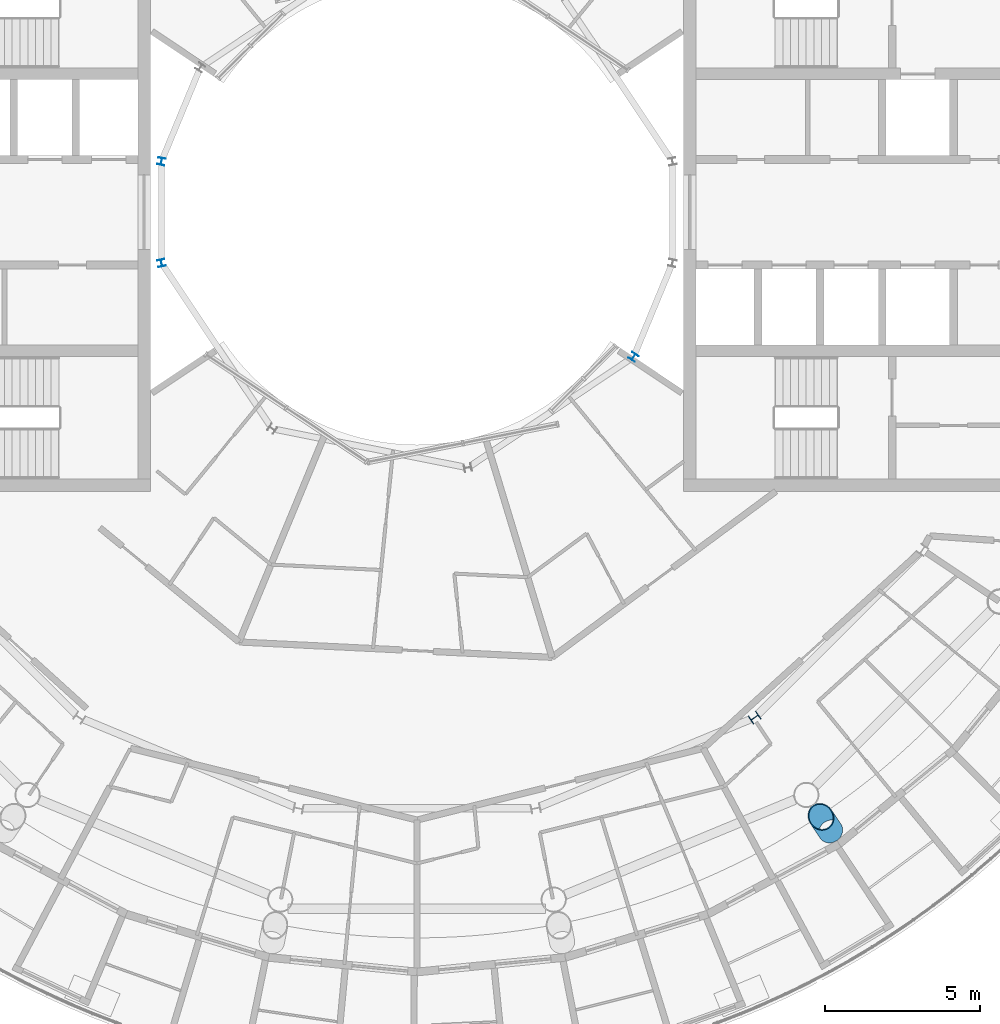
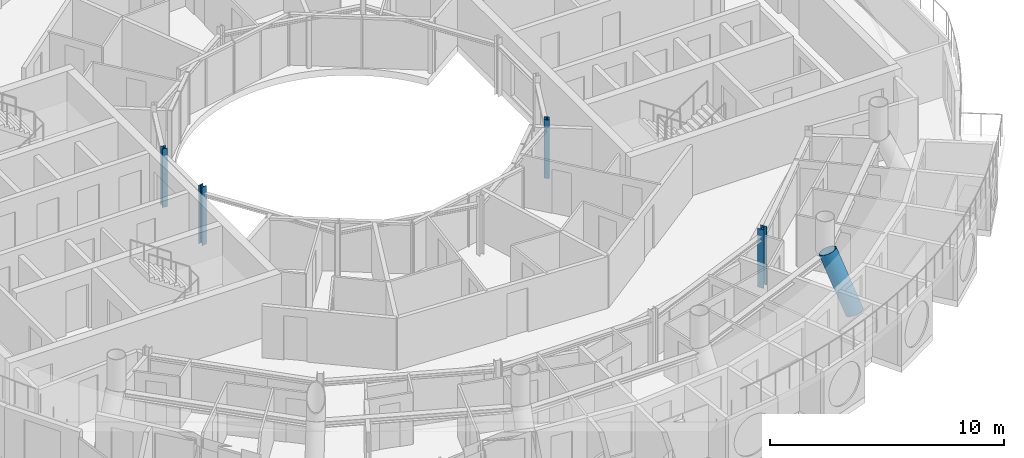
# One storey, part 2 of 25: 5 columns.
"""IFC4 building model written with IfcOpenShell, lengths in metres."""

from ifc_helpers import new_model, si_unit, direction, frame, origin, origin_2d, place, context, subcontext, project, spatial, hollow_circle, i_section, extrude, material, material_profile, profile_set, type_object, element, save


model = new_model("IFC4")

# Units and contexts
model_context = context("Model", 3, precision=1e-05, world=origin(), true_north=direction((0.0, 1.0)))
body_context = subcontext(model_context, "Body", "Model", "MODEL_VIEW")
ifc_project = project(units=[si_unit("LENGTHUNIT", "METRE"), si_unit("AREAUNIT", "SQUARE_METRE"), si_unit("VOLUMEUNIT", "CUBIC_METRE"), si_unit("PLANEANGLEUNIT", "RADIAN"), si_unit("MASSUNIT", "GRAM", prefix="KILO")], contexts=[model_context])

# Site, building, storey
site_placement = place(None, origin())
site = spatial("IfcSite", under=ifc_project, at=site_placement, CompositionType="ELEMENT")
building_placement = place(site_placement, origin())
building = spatial("IfcBuilding", under=site, at=building_placement, Name="Maasbend Ring Residences", CompositionType="ELEMENT")
storey_placement = place(building_placement, frame((0.0, 0.0, 246.25)))
storey = spatial("IfcBuildingStorey", under=building, at=storey_placement, Name="L71", CompositionType="ELEMENT", Elevation=246.25)

# Columns
ifc_material_1 = material(Name="Composite concrete-filled steel tube S460NH / C80/95", Category="concrete")
ifc_material_profile_1 = material_profile(ifc_material_1, hollow_circle(Radius=0.406494140625, WallThickness=0.030029296875, at=origin_2d()), Name="Composite tube column CHS 813x30")
ifc_profile_set_1 = profile_set([ifc_material_profile_1], Name="Composite concrete-filled steel tube S460NH / C80/95")
column_type_1 = type_object("IfcColumnType", Name="Composite tube column CHS 813x30", PredefinedType="COLUMN", material=ifc_profile_set_1)
column_1_placement = place(storey_placement, frame((13.333740234375, -19.955322265625, 0.0), z_axis=(-0.231767499499, 0.346819263352, 0.908845545043), x_axis=(-0.831436082083, -0.555620411262, 0.0)))
element("IfcColumn", 1, at=column_1_placement, inside=storey, type_object=column_type_1, Name="Outer column R14", PredefinedType="COLUMN", context=body_context, shape_type="SweptSolid", body=[
    extrude(hollow_circle(Radius=0.406494140625, WallThickness=0.030029296875, at=origin_2d()), origin(), (0.0, 0.0, 1.0), 3.0810546875),
])
ifc_material_2 = material(Name="Steel S355J2", Category="steel")
ifc_material_profile_2 = material_profile(ifc_material_2, i_section(OverallWidth=0.239990234375, OverallDepth=0.22998046875, WebThickness=0.007568359375, FlangeThickness=0.011962890625, FilletRadius=0.02099609375, at=origin_2d()), Name="HEA 240")
ifc_profile_set_2 = profile_set([ifc_material_profile_2], Name="Steel S355J2")
column_type_2 = type_object("IfcColumnType", Name="Steel column HEA 240", PredefinedType="COLUMN", material=ifc_profile_set_2)
for number, where, z_axis, x_axis, name in (
    (2, (-8.238525390625, 1.638916015625, 0.0), (0.0, 0.0, 1.0), (-0.980785280403, 0.195090322016, 0.0), "Well ring column R8"),
    (3, (-8.238525390625, -1.638916015625, 0.0), (0.0, 0.0, 1.0), (-0.980785280403, -0.195090322016, 0.0), "Well ring column R9"),
    (4, (6.984375, -4.666748046875, 0.0), (0.0, 0.0, 1.0), (0.831469612303, -0.55557023302, 0.0), "Well ring column R15"),
):
    element("IfcColumn", number, at=place(storey_placement, frame(where, z_axis=z_axis, x_axis=x_axis)), inside=storey, type_object=column_type_2, Name=name, PredefinedType="COLUMN", context=body_context, shape_type="SweptSolid", body=[
        extrude(i_section(OverallWidth=0.239990234375, OverallDepth=0.22998046875, WebThickness=0.007568359375, FlangeThickness=0.011962890625, FilletRadius=0.02099609375, at=origin_2d()), origin(), (0.0, 0.0, 1.0), 3.050048828125),
    ])
ifc_material_3 = material(Name="Steel S355J2", Category="steel")
ifc_material_profile_3 = material_profile(ifc_material_3, i_section(OverallWidth=0.300048828125, OverallDepth=0.300048828125, WebThickness=0.010986328125, FlangeThickness=0.01904296875, FilletRadius=0.027099609375, at=origin_2d()), Name="HEB 300")
ifc_profile_set_3 = profile_set([ifc_material_profile_3], Name="Steel S355J2")
column_type_3 = type_object("IfcColumnType", Name="Steel column HEB 300", PredefinedType="COLUMN", material=ifc_profile_set_3)
column_2_placement = place(storey_placement, frame((10.88916015625, -16.296875, 0.0), z_axis=(0.0, 0.0, 1.0), x_axis=(0.55557023302, -0.831469612303, 0.0)))
element("IfcColumn", 5, at=column_2_placement, inside=storey, type_object=column_type_3, Name="Corridor ring column R14", PredefinedType="COLUMN", context=body_context, shape_type="SweptSolid", body=[
    extrude(i_section(OverallWidth=0.300048828125, OverallDepth=0.300048828125, WebThickness=0.010986328125, FlangeThickness=0.01904296875, FilletRadius=0.027099609375, at=origin_2d()), origin(), (0.0, 0.0, 1.0), 3.050048828125),
])

save(model, "model.ifc")
